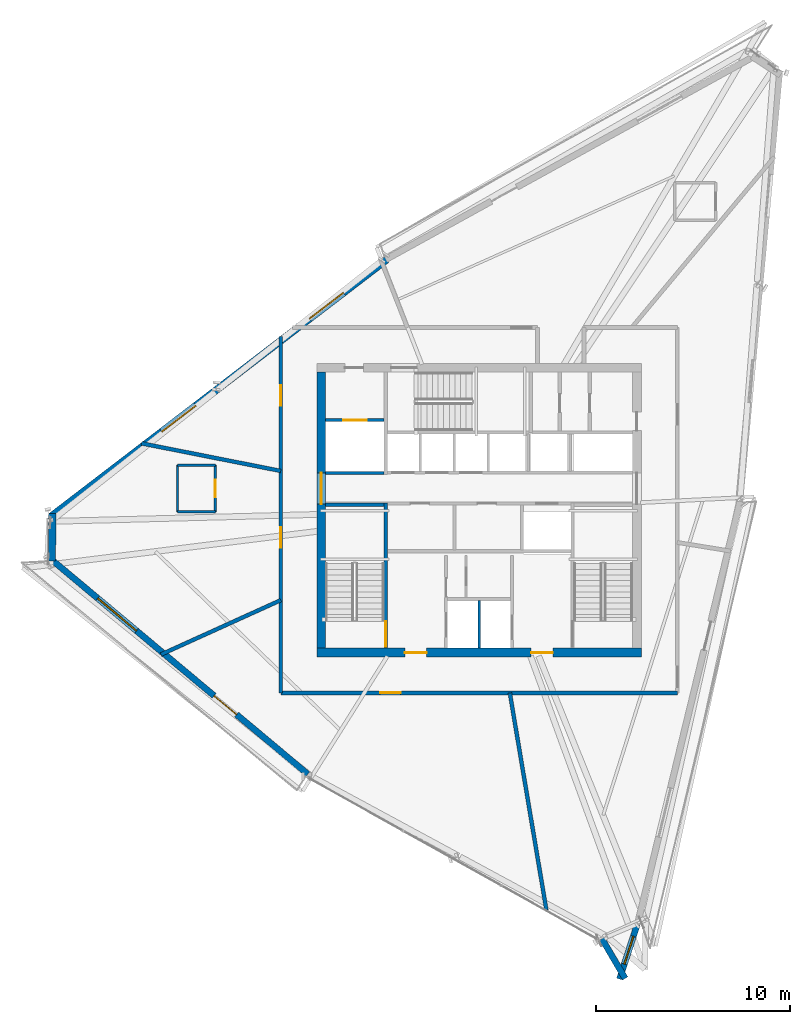
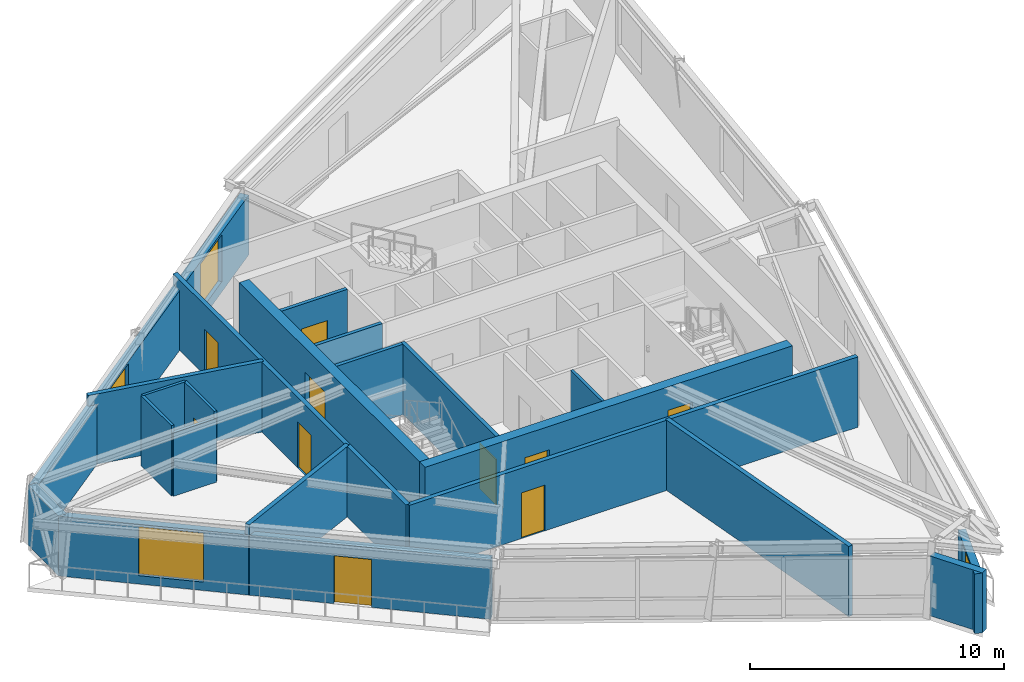
# One storey, part 8 of 13: 21 walls, 10 doors, 4 windows, 14 openings.
"""IFC4 building model written with IfcOpenShell, lengths in metres."""

from ifc_helpers import new_model, si_unit, direction, frame, frame_2d, origin, place, context, subcontext, project, spatial, rectangle, extrude, source, transform, mapped, material, layer, layer_set, type_object, type_shapes, element, fill, save


model = new_model("IFC4")

# Units and contexts
model_context = context("Model", 3, precision=1e-05, world=origin(), true_north=direction((0.0, 1.0)))
body_context = subcontext(model_context, "Body", "Model", "MODEL_VIEW")
ifc_project = project(units=[si_unit("LENGTHUNIT", "METRE"), si_unit("AREAUNIT", "SQUARE_METRE"), si_unit("VOLUMEUNIT", "CUBIC_METRE"), si_unit("PLANEANGLEUNIT", "RADIAN"), si_unit("MASSUNIT", "GRAM", prefix="KILO")], contexts=[model_context])

# Site, building, storey
site_placement = place(None, origin())
site = spatial("IfcSite", under=ifc_project, at=site_placement, CompositionType="ELEMENT")
building_placement = place(site_placement, origin())
building = spatial("IfcBuilding", under=site, at=building_placement, Name="Olszyna Solenne Hotel", CompositionType="ELEMENT")
storey_placement = place(building_placement, frame((0.0, 0.0, 266.89990234375)))
storey = spatial("IfcBuildingStorey", under=building, at=storey_placement, Name="L71", CompositionType="ELEMENT", Elevation=266.89990234375)

# Wall, openings, doors
ifc_material_1 = material(Name="Concrete C50/60", Category="concrete")
ifc_layer_1 = layer(ifc_material_1, 0.449951171875, Name="Concrete C50/60")
ifc_layer_set_1 = layer_set([ifc_layer_1], Name="Concrete C50/60")
wall_type_1 = type_object("IfcWallType", Name="WL-CR450", PredefinedType="SHEAR", material=ifc_layer_set_1)
wall_1_placement = place(storey_placement, frame((46.35009765625, 19.27490234375, 0.0), z_axis=(0.0, 0.0, 1.0), x_axis=(-1.0, 0.0, 0.0)))
wall_1 = element("IfcWall", 1, at=wall_1_placement, inside=storey, type_object=wall_type_1, Name="Core shear wall WL-CR450 CRW-L71-S", PredefinedType="SHEAR", context=body_context, shape_type="SweptSolid", body=[
    extrude(rectangle(XDim=16.7001953125, YDim=0.449951171875, at=frame_2d((8.35009765625, 0.0))), origin(), (0.0, 0.0, 1.0), 3.380126953125),
])
opening_1_placement = place(wall_1_placement, frame((4.550048828125, 0.0, 0.0)))
opening_1 = element("IfcOpeningElement", 2, at=opening_1_placement, cuts=wall_1, Name="Opening FL-L71-1", PredefinedType="OPENING", context=body_context, shape_type="SweptSolid", body=[
    extrude(rectangle(XDim=1.1201171875, YDim=2.25, at=frame_2d((0.56005859375, 1.125))), frame((0.0, 0.23486328125, 0.0), z_axis=(0.0, -1.0, 0.0), x_axis=(1.0, 0.0, 0.0)), (0.0, 0.0, 1.0), 0.469970703125),
])
opening_2_placement = place(wall_1_placement, frame((11.050048828125, 0.0, 0.0)))
opening_2 = element("IfcOpeningElement", 3, at=opening_2_placement, cuts=wall_1, Name="Opening FL-L71-2", PredefinedType="OPENING", context=body_context, shape_type="SweptSolid", body=[
    extrude(rectangle(XDim=1.1201171875, YDim=2.25, at=frame_2d((0.56005859375, 1.125))), frame((0.0, 0.23486328125, 0.0), z_axis=(0.0, -1.0, 0.0), x_axis=(1.0, 0.0, 0.0)), (0.0, 0.0, 1.0), 0.469970703125),
])
ifc_material_2 = material(Name="Steel S355J2", Category="steel")
door_type_1 = type_object("IfcDoorType", Name="DR-FL1", OperationType="NOTDEFINED", PredefinedType="DOOR", material=ifc_material_2)
shared_shape_1 = source(origin(), body_context, "Body", "SweptSolid", [
    extrude(rectangle(XDim=1.1201171875, YDim=2.25, at=frame_2d((0.56005859375, 1.125))), frame((0.0, 0.02490234375, 0.0), z_axis=(0.0, -1.0, 0.0), x_axis=(1.0, 0.0, 0.0)), (0.0, 0.0, 1.0), 0.050048828125),
])
type_shapes(door_type_1, [shared_shape_1])
door_1_placement = place(opening_1_placement, origin())
door_1 = element("IfcDoor", 4, at=door_1_placement, inside=storey, type_object=door_type_1, Name="Firefighting lift lobby smoke door FL-L71-1", OperationType="SINGLE_SWING_LEFT", OverallHeight=2.25, OverallWidth=1.1201171875, PredefinedType="DOOR", context=body_context, shape_type="MappedRepresentation", body=[
    mapped(shared_shape_1, transform((0.0, 0.0, 0.0), x_axis=(1.0, 0.0, 0.0), y_axis=(0.0, 1.0, 0.0), z_axis=(0.0, 0.0, 1.0), scale=1.0)),
])
fill(opening_1, door_1)
door_2_placement = place(opening_2_placement, origin())
door_2 = element("IfcDoor", 5, at=door_2_placement, inside=storey, type_object=door_type_1, Name="Firefighting lift lobby smoke door FL-L71-2", OperationType="SINGLE_SWING_RIGHT", OverallHeight=2.25, OverallWidth=1.1201171875, PredefinedType="DOOR", context=body_context, shape_type="MappedRepresentation", body=[
    mapped(shared_shape_1, transform((0.0, 0.0, 0.0), x_axis=(1.0, 0.0, 0.0), y_axis=(0.0, 1.0, 0.0), z_axis=(0.0, 0.0, 1.0), scale=1.0)),
])
fill(opening_2, door_2)

# Wall, opening, door
wall_2_placement = place(storey_placement, frame((29.875, 19.5, 0.0), z_axis=(0.0, 0.0, 1.0), x_axis=(0.0, 1.0, 0.0)))
wall_2 = element("IfcWall", 6, at=wall_2_placement, inside=storey, type_object=wall_type_1, Name="Core shear wall WL-CR450 CRW-L71-W", PredefinedType="SHEAR", context=body_context, shape_type="SweptSolid", body=[
    extrude(rectangle(XDim=14.199951171875, YDim=0.449951171875, at=frame_2d((7.10009765625, 0.0))), origin(), (0.0, 0.0, 1.0), 3.380126953125),
])
opening_3_placement = place(wall_2_placement, frame((7.419921875, 0.0, 0.0)))
opening_3 = element("IfcOpeningElement", 7, at=opening_3_placement, cuts=wall_2, Name="Opening LHD-L71-W", PredefinedType="OPENING", context=body_context, shape_type="SweptSolid", body=[
    extrude(rectangle(XDim=1.60009765625, YDim=2.199951171875, at=frame_2d((0.800048828125, 1.10009765625))), frame((0.0, 0.23486328125, 0.0), z_axis=(0.0, -1.0, 0.0), x_axis=(1.0, 0.0, 0.0)), (0.0, 0.0, 1.0), 0.469970703125),
])
ifc_material_3 = material(Name="Timber hardwood", Category="wood")
door_type_2 = type_object("IfcDoorType", Name="DR-CR1", OperationType="DOUBLE_DOOR_SINGLE_SWING", PredefinedType="DOOR", material=ifc_material_3)
shared_shape_2 = source(origin(), body_context, "Body", "SweptSolid", [
    extrude(rectangle(XDim=1.60009765625, YDim=2.199951171875, at=frame_2d((0.800048828125, 1.10009765625))), frame((0.0, 0.02490234375, 0.0), z_axis=(0.0, -1.0, 0.0), x_axis=(1.0, 0.0, 0.0)), (0.0, 0.0, 1.0), 0.050048828125),
])
type_shapes(door_type_2, [shared_shape_2])
door_3_placement = place(opening_3_placement, origin())
door_3 = element("IfcDoor", 8, at=door_3_placement, inside=storey, type_object=door_type_2, Name="Passenger lift lobby West fire door LHD-L71-W", OperationType="DOUBLE_DOOR_SINGLE_SWING", OverallHeight=2.199951171875, OverallWidth=1.60009765625, PredefinedType="DOOR", context=body_context, shape_type="MappedRepresentation", body=[
    mapped(shared_shape_2, transform((0.0, 0.0, 0.0), x_axis=(1.0, 0.0, 0.0), y_axis=(0.0, 1.0, 0.0), z_axis=(0.0, 0.0, 1.0), scale=1.0)),
])
fill(opening_3, door_3)

# Wall, opening, window
ifc_material_4 = material(Name="Precast concrete C45/55", Category="concrete")
ifc_layer_2 = layer(ifc_material_4, 0.320068359375, Name="Precast concrete C45/55")
ifc_layer_set_2 = layer_set([ifc_layer_2], Name="Precast concrete C45/55")
wall_type_2 = type_object("IfcWallType", Name="WL-EX320", PredefinedType="SOLIDWALL", material=ifc_layer_set_2)
wall_3_placement = place(storey_placement, frame((46.187255859375, 5.43896484375, 0.0), z_axis=(0.0, 0.0, 1.0), x_axis=(-0.307903872404, -0.951417471649, 0.0)))
wall_3 = element("IfcWall", 9, at=wall_3_placement, inside=storey, type_object=wall_type_2, Name="Exterior terracotta-precast frame wall WL-EX320 EW-L71-02", PredefinedType="SOLIDWALL", context=body_context, shape_type="SweptSolid", body=[
    extrude(rectangle(XDim=3.110595703125, YDim=0.320068359375, at=frame_2d((1.55517578125, 0.0))), origin(), (0.0, 0.0, 1.0), 2.8720703125),
])
opening_4_placement = place(wall_3_placement, frame((0.804931640625, 0.0, 0.451904296875)))
opening_4 = element("IfcOpeningElement", 10, at=opening_4_placement, cuts=wall_3, Name="Opening WN-L71-473", PredefinedType="OPENING", context=body_context, shape_type="SweptSolid", body=[
    extrude(rectangle(XDim=1.5, YDim=2.300048828125, at=frame_2d((0.75, 1.14990234375))), frame((0.0, 0.169921875, 0.0), z_axis=(0.0, -1.0, 0.0), x_axis=(1.0, 0.0, 0.0)), (0.0, 0.0, 1.0), 0.340087890625),
])
ifc_material_5 = material(Name="Low-E triple glazing", Category="glass")
window_type_1 = type_object("IfcWindowType", Name="WN-CH1", PartitioningType="SINGLE_PANEL", PredefinedType="WINDOW", material=ifc_material_5)
shared_shape_3 = source(origin(), body_context, "Body", "SweptSolid", [
    extrude(rectangle(XDim=1.5, YDim=2.300048828125, at=frame_2d((0.75, 1.14990234375))), frame((0.0, 0.030029296875, 0.0), z_axis=(0.0, -1.0, 0.0), x_axis=(1.0, 0.0, 0.0)), (0.0, 0.0, 1.0), 0.06005859375),
])
type_shapes(window_type_1, [shared_shape_3])
window_1_placement = place(opening_4_placement, origin())
window_1 = element("IfcWindow", 11, at=window_1_placement, inside=storey, type_object=window_type_1, Name="Exterior facade window WN-CH1 WN-L71-473", OverallHeight=2.300048828125, OverallWidth=1.5, PartitioningType="SINGLE_PANEL", PredefinedType="WINDOW", context=body_context, shape_type="MappedRepresentation", body=[
    mapped(shared_shape_3, transform((0.0, 0.0, 0.0), x_axis=(1.0, 0.0, 0.0), y_axis=(0.0, 1.0, 0.0), z_axis=(0.0, 0.0, 1.0), scale=1.0)),
])
fill(opening_4, window_1)

# Wall
wall_4_placement = place(storey_placement, frame((45.519775390625, 2.51123046875, 0.0), z_axis=(0.0, 0.0, 1.0), x_axis=(-0.506290522804, 0.862362978402, 0.0)))
element("IfcWall", 12, at=wall_4_placement, inside=storey, type_object=wall_type_2, Name="Exterior terracotta-precast frame wall WL-EX320 EW-L71-03", PredefinedType="SOLIDWALL", context=body_context, shape_type="SweptSolid", body=[
    extrude(rectangle(XDim=2.36962890625, YDim=0.320068359375, at=frame_2d((1.184814453125, 0.0))), origin(), (0.0, 0.0, 1.0), 2.8720703125),
])

# Wall, openings, door, window
wall_5_placement = place(storey_placement, frame((29.188720703125, 13.01953125, 0.0), z_axis=(0.0, 0.0, 1.0), x_axis=(-0.76674910501, 0.641946890301, 0.0)))
wall_5 = element("IfcWall", 13, at=wall_5_placement, inside=storey, type_object=wall_type_2, Name="Exterior terracotta-precast frame wall WL-EX320 EW-L71-05", PredefinedType="SOLIDWALL", context=body_context, shape_type="SweptSolid", body=[
    extrude(rectangle(XDim=17.287109375, YDim=0.320068359375, at=frame_2d((8.6435546875, 0.0))), origin(), (0.0, 0.0, 1.0), 2.8720703125),
])
opening_5_placement = place(wall_5_placement, frame((4.781982421875, 0.0, 0.0)))
opening_5 = element("IfcOpeningElement", 14, at=opening_5_placement, cuts=wall_5, Name="Opening LDG-L71-2", PredefinedType="OPENING", context=body_context, shape_type="SweptSolid", body=[
    extrude(rectangle(XDim=1.5, YDim=2.300048828125, at=frame_2d((0.75, 1.14990234375))), frame((0.0, 0.169921875, 0.0), z_axis=(0.0, -1.0, 0.0), x_axis=(1.0, 0.0, 0.0)), (0.0, 0.0, 1.0), 0.340087890625),
])
opening_6_placement = place(wall_5_placement, frame((11.491943359375, 0.0, 0.402099609375)))
opening_6 = element("IfcOpeningElement", 15, at=opening_6_placement, cuts=wall_5, Name="Opening WN-L71-474", PredefinedType="OPENING", context=body_context, shape_type="SweptSolid", body=[
    extrude(rectangle(XDim=2.60009765625, YDim=2.35009765625, at=frame_2d((1.300048828125, 1.175048828125))), frame((0.0, 0.169921875, 0.0), z_axis=(0.0, -1.0, 0.0), x_axis=(1.0, 0.0, 0.0)), (0.0, 0.0, 1.0), 0.340087890625),
])
ifc_material_6 = material(Name="Anodised bronze aluminium", Category="aluminium")
door_type_3 = type_object("IfcDoorType", Name="DR-LG2", OperationType="DOUBLE_DOOR_SINGLE_SWING", PredefinedType="DOOR", material=ifc_material_6)
shared_shape_4 = source(origin(), body_context, "Body", "SweptSolid", [
    extrude(rectangle(XDim=1.5, YDim=2.300048828125, at=frame_2d((0.75, 1.14990234375))), frame((0.0, 0.02490234375, 0.0), z_axis=(0.0, -1.0, 0.0), x_axis=(1.0, 0.0, 0.0)), (0.0, 0.0, 1.0), 0.050048828125),
])
type_shapes(door_type_3, [shared_shape_4])
door_4_placement = place(opening_5_placement, origin())
door_4 = element("IfcDoor", 16, at=door_4_placement, inside=storey, type_object=door_type_3, Name="Exterior loggia balcony door DR-LG2 LDG-L71-2", OperationType="DOUBLE_DOOR_SINGLE_SWING", OverallHeight=2.300048828125, OverallWidth=1.5, PredefinedType="DOOR", context=body_context, shape_type="MappedRepresentation", body=[
    mapped(shared_shape_4, transform((0.0, 0.0, 0.0), x_axis=(1.0, 0.0, 0.0), y_axis=(0.0, 1.0, 0.0), z_axis=(0.0, 0.0, 1.0), scale=1.0)),
])
fill(opening_5, door_4)
window_type_2 = type_object("IfcWindowType", Name="WN-ST1", PartitioningType="SINGLE_PANEL", PredefinedType="WINDOW", material=ifc_material_5)
shared_shape_5 = source(origin(), body_context, "Body", "SweptSolid", [
    extrude(rectangle(XDim=2.60009765625, YDim=2.35009765625, at=frame_2d((1.300048828125, 1.175048828125))), frame((0.0, 0.030029296875, 0.0), z_axis=(0.0, -1.0, 0.0), x_axis=(1.0, 0.0, 0.0)), (0.0, 0.0, 1.0), 0.06005859375),
])
type_shapes(window_type_2, [shared_shape_5])
window_2_placement = place(opening_6_placement, origin())
window_2 = element("IfcWindow", 17, at=window_2_placement, inside=storey, type_object=window_type_2, Name="Loggia room window WN-ST1 WN-L71-474", OverallHeight=2.35009765625, OverallWidth=2.60009765625, PartitioningType="SINGLE_PANEL", PredefinedType="WINDOW", context=body_context, shape_type="MappedRepresentation", body=[
    mapped(shared_shape_5, transform((0.0, 0.0, 0.0), x_axis=(1.0, 0.0, 0.0), y_axis=(0.0, 1.0, 0.0), z_axis=(0.0, 0.0, 1.0), scale=1.0)),
])
fill(opening_6, window_2)

# Wall
ifc_material_7 = material(Name="Terracotta cladding on precast concrete C45/55", Category="masonry")
ifc_layer_3 = layer(ifc_material_7, 0.3798828125, Name="Terracotta cladding on precast concrete C45/55")
ifc_layer_set_3 = layer_set([ifc_layer_3], Name="Terracotta cladding on precast concrete C45/55")
wall_type_3 = type_object("IfcWallType", Name="WL-EX380", PredefinedType="SOLIDWALL", material=ifc_layer_set_3)
wall_6_placement = place(storey_placement, frame((16.021240234375, 23.991943359375, 0.0), z_axis=(0.0, 0.0, 1.0), x_axis=(0.012141603698, 0.999926288013, 0.0)))
element("IfcWall", 18, at=wall_6_placement, inside=storey, type_object=wall_type_3, Name="Exterior terracotta-precast frame wall WL-EX380 EW-L71-06", PredefinedType="SOLIDWALL", context=body_context, shape_type="SweptSolid", body=[
    extrude(rectangle(XDim=2.43310546875, YDim=0.3798828125, at=frame_2d((1.216552734375, 0.0))), origin(), (0.0, 0.0, 1.0), 2.8720703125),
])

# Wall, openings, windows
wall_7_placement = place(storey_placement, frame((15.976318359375, 26.2763671875, 0.0), z_axis=(0.0, 0.0, 1.0), x_axis=(0.794029694054, 0.607878972297, 0.0)))
wall_7 = element("IfcWall", 19, at=wall_7_placement, inside=storey, type_object=wall_type_3, Name="Exterior terracotta-precast frame wall WL-EX380 EW-L71-07", PredefinedType="SOLIDWALL", context=body_context, shape_type="SweptSolid", body=[
    extrude(rectangle(XDim=21.738525390625, YDim=0.3798828125, at=frame_2d((10.869140625, 0.0))), origin(), (0.0, 0.0, 1.0), 2.8720703125),
])
opening_7_placement = place(wall_7_placement, frame((7.18701171875, 0.0, 0.501953125)))
opening_7 = element("IfcOpeningElement", 20, at=opening_7_placement, cuts=wall_7, Name="Opening WN-L71-475", PredefinedType="OPENING", context=body_context, shape_type="SweptSolid", body=[
    extrude(rectangle(XDim=2.199951171875, YDim=2.25, at=frame_2d((1.10009765625, 1.125))), frame((0.0, 0.199951171875, 0.0), z_axis=(0.0, -1.0, 0.0), x_axis=(1.0, 0.0, 0.0)), (0.0, 0.0, 1.0), 0.39990234375),
])
opening_8_placement = place(wall_7_placement, frame((16.751953125, 0.0, 0.501953125)))
opening_8 = element("IfcOpeningElement", 21, at=opening_8_placement, cuts=wall_7, Name="Opening WN-L71-476", PredefinedType="OPENING", context=body_context, shape_type="SweptSolid", body=[
    extrude(rectangle(XDim=2.199951171875, YDim=2.25, at=frame_2d((1.10009765625, 1.125))), frame((0.0, 0.199951171875, 0.0), z_axis=(0.0, -1.0, 0.0), x_axis=(1.0, 0.0, 0.0)), (0.0, 0.0, 1.0), 0.39990234375),
])
window_type_3 = type_object("IfcWindowType", Name="WN-HT2", PartitioningType="SINGLE_PANEL", PredefinedType="WINDOW", material=ifc_material_5)
shared_shape_6 = source(origin(), body_context, "Body", "SweptSolid", [
    extrude(rectangle(XDim=2.199951171875, YDim=2.25, at=frame_2d((1.10009765625, 1.125))), frame((0.0, 0.030029296875, 0.0), z_axis=(0.0, -1.0, 0.0), x_axis=(1.0, 0.0, 0.0)), (0.0, 0.0, 1.0), 0.06005859375),
])
type_shapes(window_type_3, [shared_shape_6])
window_3_placement = place(opening_7_placement, origin())
window_3 = element("IfcWindow", 22, at=window_3_placement, inside=storey, type_object=window_type_3, Name="Exterior facade window WN-HT2 WN-L71-475", OverallHeight=2.25, OverallWidth=2.199951171875, PartitioningType="SINGLE_PANEL", PredefinedType="WINDOW", context=body_context, shape_type="MappedRepresentation", body=[
    mapped(shared_shape_6, transform((0.0, 0.0, 0.0), x_axis=(1.0, 0.0, 0.0), y_axis=(0.0, 1.0, 0.0), z_axis=(0.0, 0.0, 1.0), scale=1.0)),
])
fill(opening_7, window_3)
window_4_placement = place(opening_8_placement, origin())
window_4 = element("IfcWindow", 23, at=window_4_placement, inside=storey, type_object=window_type_3, Name="Exterior facade window WN-HT2 WN-L71-476", OverallHeight=2.25, OverallWidth=2.199951171875, PartitioningType="SINGLE_PANEL", PredefinedType="WINDOW", context=body_context, shape_type="MappedRepresentation", body=[
    mapped(shared_shape_6, transform((0.0, 0.0, 0.0), x_axis=(1.0, 0.0, 0.0), y_axis=(0.0, 1.0, 0.0), z_axis=(0.0, 0.0, 1.0), scale=1.0)),
])
fill(opening_8, window_4)

# Wall
ifc_material_8 = material(Name="Acoustic gypsum partition", Category="gypsum")
ifc_layer_4 = layer(ifc_material_8, 0.125, Name="Acoustic gypsum partition")
ifc_layer_set_4 = layer_set([ifc_layer_4], Name="Acoustic gypsum partition")
wall_type_4 = type_object("IfcWallType", Name="WL-PT125", PredefinedType="PARTITIONING", material=ifc_layer_set_4)
wall_8_placement = place(storey_placement, frame((38.0, 19.5, 0.0), z_axis=(0.0, 0.0, 1.0), x_axis=(0.0, 1.0, 0.0)))
element("IfcWall", 24, at=wall_8_placement, inside=storey, type_object=wall_type_4, Name="Core shaft compartment wall CW-L71-FFM", PredefinedType="PARTITIONING", context=body_context, shape_type="SweptSolid", body=[
    extrude(rectangle(XDim=2.4599609375, YDim=0.125, at=frame_2d((1.22998046875, 0.0))), origin(), (0.0, 0.0, 1.0), 3.380126953125),
])

# Wall, opening, door
wall_9_placement = place(storey_placement, frame((24.43505859375, 26.52001953125, 0.0), z_axis=(0.0, 0.0, 1.0), x_axis=(0.0, 1.0, 0.0)))
wall_9 = element("IfcWall", 25, at=wall_9_placement, inside=storey, type_object=wall_type_4, Name="Interior acoustic partition WL-PT125 PW-L71-3929", PredefinedType="PARTITIONING", context=body_context, shape_type="SweptSolid", body=[
    extrude(rectangle(XDim=2.39990234375, YDim=0.125, at=frame_2d((1.199951171875, 0.0))), origin(), (0.0, 0.0, 1.0), 3.380126953125),
])
opening_9_placement = place(wall_9_placement, frame((0.75, 0.0, 0.0)))
opening_9 = element("IfcOpeningElement", 26, at=opening_9_placement, cuts=wall_9, Name="Opening DR-L71-0951", PredefinedType="OPENING", context=body_context, shape_type="SweptSolid", body=[
    extrude(rectangle(XDim=0.89990234375, YDim=2.10009765625, at=frame_2d((0.449951171875, 1.050048828125))), frame((0.0, 0.072509765625, 0.0), z_axis=(0.0, -1.0, 0.0), x_axis=(1.0, 0.0, 0.0)), (0.0, 0.0, 1.0), 0.14501953125),
])
door_type_4 = type_object("IfcDoorType", Name="DR-WC1", OperationType="NOTDEFINED", PredefinedType="DOOR", material=ifc_material_3)
shared_shape_7 = source(origin(), body_context, "Body", "SweptSolid", [
    extrude(rectangle(XDim=0.89990234375, YDim=2.10009765625, at=frame_2d((0.449951171875, 1.050048828125))), frame((0.0, 0.02490234375, 0.0), z_axis=(0.0, -1.0, 0.0), x_axis=(1.0, 0.0, 0.0)), (0.0, 0.0, 1.0), 0.050048828125),
])
type_shapes(door_type_4, [shared_shape_7])
door_5_placement = place(opening_9_placement, origin())
door_5 = element("IfcDoor", 27, at=door_5_placement, inside=storey, type_object=door_type_4, Name="En-Suite Bathroom Door DR-L71-0951", OperationType="SINGLE_SWING_RIGHT", OverallHeight=2.10009765625, OverallWidth=0.89990234375, PredefinedType="DOOR", context=body_context, shape_type="MappedRepresentation", body=[
    mapped(shared_shape_7, transform((0.0, 0.0, 0.0), x_axis=(1.0, 0.0, 0.0), y_axis=(0.0, 1.0, 0.0), z_axis=(0.0, 0.0, 1.0), scale=1.0)),
])
fill(opening_9, door_5)

# Walls
wall_10_placement = place(storey_placement, frame((24.43505859375, 28.919921875, 0.0), z_axis=(0.0, 0.0, 1.0), x_axis=(-1.0, 0.0, 0.0)))
element("IfcWall", 28, at=wall_10_placement, inside=storey, type_object=wall_type_4, Name="Interior acoustic partition WL-PT125 PW-L71-3930", PredefinedType="PARTITIONING", context=body_context, shape_type="SweptSolid", body=[
    extrude(rectangle(XDim=1.949951171875, YDim=0.125, at=frame_2d((0.97509765625, 0.0))), origin(), (0.0, 0.0, 1.0), 3.380126953125),
])
wall_11_placement = place(storey_placement, frame((22.485107421875, 28.919921875, 0.0), z_axis=(0.0, 0.0, 1.0), x_axis=(0.0, -1.0, 0.0)))
element("IfcWall", 29, at=wall_11_placement, inside=storey, type_object=wall_type_4, Name="Interior acoustic partition WL-PT125 PW-L71-3931", PredefinedType="PARTITIONING", context=body_context, shape_type="SweptSolid", body=[
    extrude(rectangle(XDim=2.39990234375, YDim=0.125, at=frame_2d((1.199951171875, 0.0))), origin(), (0.0, 0.0, 1.0), 3.380126953125),
])
wall_12_placement = place(storey_placement, frame((22.485107421875, 26.52001953125, 0.0), z_axis=(0.0, 0.0, 1.0), x_axis=(1.0, 0.0, 0.0)))
element("IfcWall", 30, at=wall_12_placement, inside=storey, type_object=wall_type_4, Name="Interior acoustic partition WL-PT125 PW-L71-3932", PredefinedType="PARTITIONING", context=body_context, shape_type="SweptSolid", body=[
    extrude(rectangle(XDim=1.949951171875, YDim=0.125, at=frame_2d((0.97509765625, 0.0))), origin(), (0.0, 0.0, 1.0), 3.05517578125),
])

# Wall, opening, door
ifc_layer_5 = layer(ifc_material_8, 0.159912109375, Name="Acoustic gypsum partition")
ifc_layer_set_5 = layer_set([ifc_layer_5], Name="Acoustic gypsum partition")
wall_type_5 = type_object("IfcWallType", Name="WL-PT160", PredefinedType="PARTITIONING", material=ifc_layer_set_5)
wall_13_placement = place(storey_placement, frame((33.199951171875, 19.5, 0.0), z_axis=(0.0, 0.0, 1.0), x_axis=(0.0, 1.0, 0.0)))
wall_13 = element("IfcWall", 31, at=wall_13_placement, inside=storey, type_object=wall_type_5, Name="Core shaft compartment wall CW-L71-ST1E", PredefinedType="PARTITIONING", context=body_context, shape_type="SweptSolid", body=[
    extrude(rectangle(XDim=7.4599609375, YDim=0.159912109375, at=frame_2d((3.72998046875, 0.0))), origin(), (0.0, 0.0, 1.0), 3.380126953125),
])
opening_10_placement = place(wall_13_placement, frame((0.080078125, 0.0, 0.0)))
opening_10 = element("IfcOpeningElement", 32, at=opening_10_placement, cuts=wall_13, Name="Opening STD-L71-01", PredefinedType="OPENING", context=body_context, shape_type="SweptSolid", body=[
    extrude(rectangle(XDim=1.320068359375, YDim=2.199951171875, at=frame_2d((0.66015625, 1.10009765625))), frame((0.0, 0.08984375, 0.0), z_axis=(0.0, -1.0, 0.0), x_axis=(1.0, 0.0, 0.0)), (0.0, 0.0, 1.0), 0.179931640625),
])
door_type_5 = type_object("IfcDoorType", Name="DR-ST1", OperationType="NOTDEFINED", PredefinedType="DOOR", material=ifc_material_2)
shared_shape_8 = source(origin(), body_context, "Body", "SweptSolid", [
    extrude(rectangle(XDim=1.320068359375, YDim=2.199951171875, at=frame_2d((0.66015625, 1.10009765625))), frame((0.0, 0.02490234375, 0.0), z_axis=(0.0, -1.0, 0.0), x_axis=(1.0, 0.0, 0.0)), (0.0, 0.0, 1.0), 0.050048828125),
])
type_shapes(door_type_5, [shared_shape_8])
door_6_placement = place(opening_10_placement, origin())
door_6 = element("IfcDoor", 33, at=door_6_placement, inside=storey, type_object=door_type_5, Name="Pressurised exit stair ST1 fire door STD-L71-01", OperationType="SINGLE_SWING_LEFT", OverallHeight=2.199951171875, OverallWidth=1.320068359375, PredefinedType="DOOR", context=body_context, shape_type="MappedRepresentation", body=[
    mapped(shared_shape_8, transform((0.0, 0.0, 0.0), x_axis=(1.0, 0.0, 0.0), y_axis=(0.0, 1.0, 0.0), z_axis=(0.0, 0.0, 1.0), scale=1.0)),
])
fill(opening_10, door_6)

# Walls
for number, where, z_axis, x_axis, name in (
    (34, (30.10009765625, 26.8798828125, 0.0), (0.0, 0.0, 1.0), (1.0, 0.0, 0.0), "Core shaft compartment wall CW-L71-ST1N"),
    (35, (30.10009765625, 28.52001953125, 0.0), (0.0, 0.0, 1.0), (1.0, 0.0, 0.0), "Core shaft compartment wall CW-L71-SV1S"),
):
    element("IfcWall", number, at=place(storey_placement, frame(where, z_axis=z_axis, x_axis=x_axis)), inside=storey, type_object=wall_type_5, Name=name, PredefinedType="PARTITIONING", context=body_context, shape_type="SweptSolid", body=[
        extrude(rectangle(XDim=3.02001953125, YDim=0.159912109375, at=frame_2d((1.510009765625, 0.0))), origin(), (0.0, 0.0, 1.0), 3.380126953125),
    ])

# Wall, opening, door
wall_14_placement = place(storey_placement, frame((30.10009765625, 31.239990234375, 0.0), z_axis=(0.0, 0.0, 1.0), x_axis=(1.0, 0.0, 0.0)))
wall_14 = element("IfcWall", 36, at=wall_14_placement, inside=storey, type_object=wall_type_5, Name="Core shaft compartment wall CW-L71-SV1N", PredefinedType="PARTITIONING", context=body_context, shape_type="SweptSolid", body=[
    extrude(rectangle(XDim=3.02001953125, YDim=0.159912109375, at=frame_2d((1.510009765625, 0.0))), origin(), (0.0, 0.0, 1.0), 3.380126953125),
])
opening_11_placement = place(wall_14_placement, frame((0.909912109375, 0.0, 0.0)))
opening_11 = element("IfcOpeningElement", 37, at=opening_11_placement, cuts=wall_14, Name="Opening LD-L71-SV1", PredefinedType="OPENING", context=body_context, shape_type="SweptSolid", body=[
    extrude(rectangle(XDim=1.199951171875, YDim=2.199951171875, at=frame_2d((0.60009765625, 1.10009765625))), frame((0.0, 0.08984375, 0.0), z_axis=(0.0, -1.0, 0.0), x_axis=(1.0, 0.0, 0.0)), (0.0, 0.0, 1.0), 0.179931640625),
])
door_type_6 = type_object("IfcDoorType", Name="LD-FF1", OperationType="DOUBLE_DOOR_SLIDING", PredefinedType="DOOR", material=ifc_material_2)
shared_shape_9 = source(origin(), body_context, "Body", "SweptSolid", [
    extrude(rectangle(XDim=1.199951171875, YDim=2.199951171875, at=frame_2d((0.60009765625, 1.10009765625))), frame((0.0, 0.02490234375, 0.0), z_axis=(0.0, -1.0, 0.0), x_axis=(1.0, 0.0, 0.0)), (0.0, 0.0, 1.0), 0.050048828125),
])
type_shapes(door_type_6, [shared_shape_9])
door_7_placement = place(opening_11_placement, origin())
door_7 = element("IfcDoor", 38, at=door_7_placement, inside=storey, type_object=door_type_6, Name="Service lift SV1 sliding landing door LD-L71-SV1", OperationType="DOUBLE_DOOR_SLIDING", OverallHeight=2.199951171875, OverallWidth=1.199951171875, PredefinedType="DOOR", context=body_context, shape_type="MappedRepresentation", body=[
    mapped(shared_shape_9, transform((0.0, 0.0, 0.0), x_axis=(1.0, 0.0, 0.0), y_axis=(0.0, 1.0, 0.0), z_axis=(0.0, 0.0, 1.0), scale=1.0)),
])
fill(opening_11, door_7)

# Walls
ifc_layer_6 = layer(ifc_material_8, 0.199951171875, Name="Acoustic gypsum partition")
ifc_layer_set_6 = layer_set([ifc_layer_6], Name="Acoustic gypsum partition")
wall_type_6 = type_object("IfcWallType", Name="WL-PT200", PredefinedType="PARTITIONING", material=ifc_layer_set_6)
wall_15_placement = place(storey_placement, frame((27.800048828125, 21.97314453125, 0.0), z_axis=(0.0, 0.0, 1.0), x_axis=(-0.910683532828, -0.41310471195, 0.0)))
element("IfcWall", 39, at=wall_15_placement, inside=storey, type_object=wall_type_6, Name="Interior acoustic partition WL-PT200 PW-L71-3919", PredefinedType="PARTITIONING", context=body_context, shape_type="SweptSolid", body=[
    extrude(rectangle(XDim=6.771484375, YDim=0.199951171875, at=frame_2d((3.3857421875, 0.0))), origin(), (0.0, 0.0, 1.0), 3.380126953125),
])
wall_16_placement = place(storey_placement, frame((39.583984375, 17.199951171875, 0.0), z_axis=(0.0, 0.0, 1.0), x_axis=(0.166152121506, -0.98610013311, 0.0)))
element("IfcWall", 40, at=wall_16_placement, inside=storey, type_object=wall_type_6, Name="Interior acoustic partition WL-PT200 PW-L71-3920", PredefinedType="PARTITIONING", context=body_context, shape_type="SweptSolid", body=[
    extrude(rectangle(XDim=11.334716796875, YDim=0.199951171875, at=frame_2d((5.66748046875, 0.0))), origin(), (0.0, 0.0, 1.0), 3.380126953125),
])
wall_17_placement = place(storey_placement, frame((27.800048828125, 28.62060546875, 0.0), z_axis=(0.0, 0.0, 1.0), x_axis=(-0.980942555911, 0.194297972206, 0.0)))
element("IfcWall", 41, at=wall_17_placement, inside=storey, type_object=wall_type_6, Name="Interior acoustic partition WL-PT200 PW-L71-3924", PredefinedType="PARTITIONING", context=body_context, shape_type="SweptSolid", body=[
    extrude(rectangle(XDim=7.309326171875, YDim=0.199951171875, at=frame_2d((3.65478515625, 0.0))), origin(), (0.0, 0.0, 1.0), 3.380126953125),
])

# Wall, opening, door
wall_18_placement = place(storey_placement, frame((27.800048828125, 17.199951171875, 0.0), z_axis=(0.0, 0.0, 1.0), x_axis=(1.0, 0.0, 0.0)))
wall_18 = element("IfcWall", 42, at=wall_18_placement, inside=storey, type_object=wall_type_6, Name="Interior acoustic partition WL-PT200 PW-L71-3933", PredefinedType="PARTITIONING", context=body_context, shape_type="SweptSolid", body=[
    extrude(rectangle(XDim=20.39990234375, YDim=0.199951171875, at=frame_2d((10.199951171875, 0.0))), origin(), (0.0, 0.0, 1.0), 3.380126953125),
])
opening_12_placement = place(wall_18_placement, frame((5.10888671875, 0.0, 0.0)))
opening_12 = element("IfcOpeningElement", 43, at=opening_12_placement, cuts=wall_18, Name="Opening DR-L71-0952", PredefinedType="OPENING", context=body_context, shape_type="SweptSolid", body=[
    extrude(rectangle(XDim=1.050048828125, YDim=2.199951171875, at=frame_2d((0.52490234375, 1.10009765625))), frame((0.0, 0.10986328125, 0.0), z_axis=(0.0, -1.0, 0.0), x_axis=(1.0, 0.0, 0.0)), (0.0, 0.0, 1.0), 0.219970703125),
])
door_type_7 = type_object("IfcDoorType", Name="DR-RM2", OperationType="NOTDEFINED", PredefinedType="DOOR", material=ifc_material_3)
shared_shape_10 = source(origin(), body_context, "Body", "SweptSolid", [
    extrude(rectangle(XDim=1.050048828125, YDim=2.199951171875, at=frame_2d((0.52490234375, 1.10009765625))), frame((0.0, 0.02490234375, 0.0), z_axis=(0.0, -1.0, 0.0), x_axis=(1.0, 0.0, 0.0)), (0.0, 0.0, 1.0), 0.050048828125),
])
type_shapes(door_type_7, [shared_shape_10])
door_8_placement = place(opening_12_placement, origin())
door_8 = element("IfcDoor", 44, at=door_8_placement, inside=storey, type_object=door_type_7, Name="Boutique Art Gallery Entrance Door DR-L71-0952", OperationType="SINGLE_SWING_RIGHT", OverallHeight=2.199951171875, OverallWidth=1.050048828125, PredefinedType="DOOR", context=body_context, shape_type="MappedRepresentation", body=[
    mapped(shared_shape_10, transform((0.0, 0.0, 0.0), x_axis=(1.0, 0.0, 0.0), y_axis=(0.0, 1.0, 0.0), z_axis=(0.0, 0.0, 1.0), scale=1.0)),
])
fill(opening_12, door_8)

# Wall, openings, doors
wall_19_placement = place(storey_placement, frame((27.800048828125, 17.199951171875, 0.0), z_axis=(0.0, 0.0, 1.0), x_axis=(0.0, 1.0, 0.0)))
wall_19 = element("IfcWall", 45, at=wall_19_placement, inside=storey, type_object=wall_type_6, Name="Interior acoustic partition WL-PT200 PW-L71-3934", PredefinedType="PARTITIONING", context=body_context, shape_type="SweptSolid", body=[
    extrude(rectangle(XDim=18.329833984375, YDim=0.199951171875, at=frame_2d((9.1650390625, 0.0))), origin(), (0.0, 0.0, 1.0), 3.380126953125),
])
opening_13_placement = place(wall_19_placement, frame((14.787109375, 0.0, 0.0)))
opening_13 = element("IfcOpeningElement", 46, at=opening_13_placement, cuts=wall_19, Name="Opening DR-L71-0953", PredefinedType="OPENING", context=body_context, shape_type="SweptSolid", body=[
    extrude(rectangle(XDim=1.050048828125, YDim=2.199951171875, at=frame_2d((0.52490234375, 1.10009765625))), frame((0.0, 0.10986328125, 0.0), z_axis=(0.0, -1.0, 0.0), x_axis=(1.0, 0.0, 0.0)), (0.0, 0.0, 1.0), 0.219970703125),
])
opening_14_placement = place(wall_19_placement, frame((7.47998046875, 0.0, 0.0)))
opening_14 = element("IfcOpeningElement", 47, at=opening_14_placement, cuts=wall_19, Name="Opening DR-L71-0954", PredefinedType="OPENING", context=body_context, shape_type="SweptSolid", body=[
    extrude(rectangle(XDim=1.050048828125, YDim=2.199951171875, at=frame_2d((0.52490234375, 1.10009765625))), frame((0.0, 0.10986328125, 0.0), z_axis=(0.0, -1.0, 0.0), x_axis=(1.0, 0.0, 0.0)), (0.0, 0.0, 1.0), 0.219970703125),
])
door_9_placement = place(opening_13_placement, origin())
door_9 = element("IfcDoor", 48, at=door_9_placement, inside=storey, type_object=door_type_7, Name="Executive Club Lounge Entrance Door DR-L71-0953", OperationType="SINGLE_SWING_RIGHT", OverallHeight=2.199951171875, OverallWidth=1.050048828125, PredefinedType="DOOR", context=body_context, shape_type="MappedRepresentation", body=[
    mapped(shared_shape_10, transform((0.0, 0.0, 0.0), x_axis=(1.0, 0.0, 0.0), y_axis=(0.0, 1.0, 0.0), z_axis=(0.0, 0.0, 1.0), scale=1.0)),
])
fill(opening_13, door_9)
door_10_placement = place(opening_14_placement, origin())
door_10 = element("IfcDoor", 49, at=door_10_placement, inside=storey, type_object=door_type_7, Name="Executive Reading Salon Entrance Door DR-L71-0954", OperationType="SINGLE_SWING_LEFT", OverallHeight=2.199951171875, OverallWidth=1.050048828125, PredefinedType="DOOR", context=body_context, shape_type="MappedRepresentation", body=[
    mapped(shared_shape_10, transform((0.0, 0.0, 0.0), x_axis=(1.0, 0.0, 0.0), y_axis=(0.0, 1.0, 0.0), z_axis=(0.0, 0.0, 1.0), scale=1.0)),
])
fill(opening_14, door_10)

save(model, "model.ifc")
